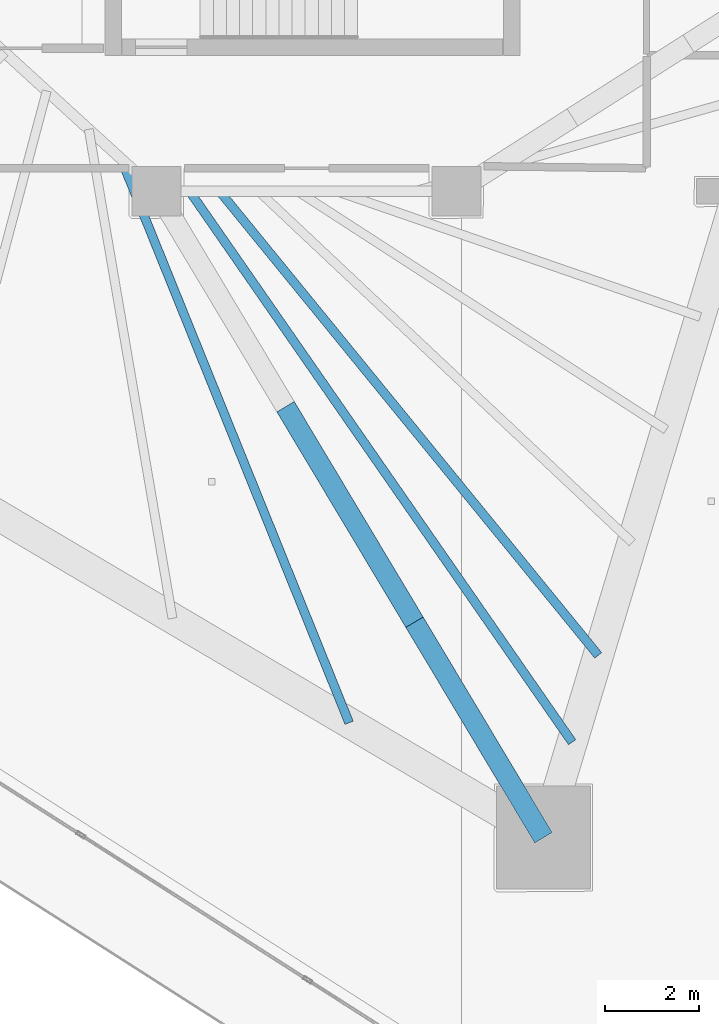
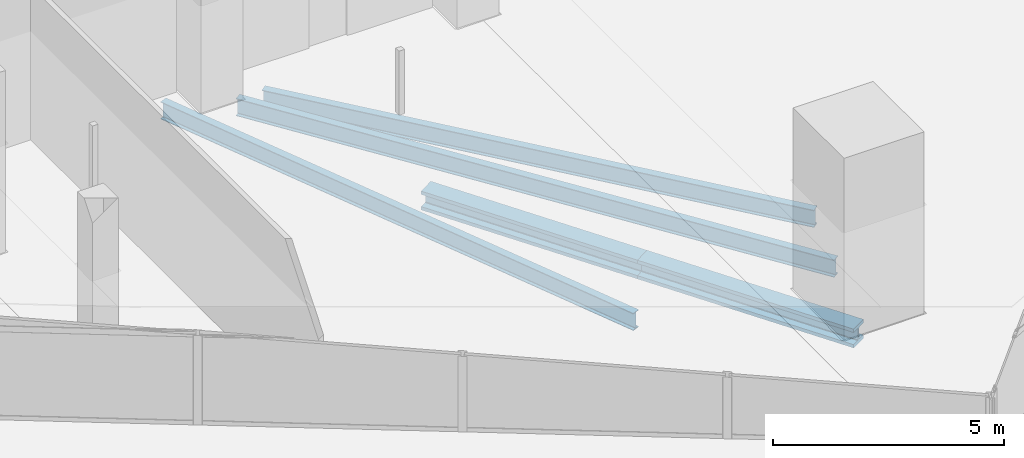
# One storey, part 6 of 42: 3 beams, 2 members.
"""IFC4 building model written with IfcOpenShell, lengths in metres."""

from ifc_helpers import new_model, si_unit, direction, frame, origin, origin_2d, place, context, subcontext, project, spatial, i_section, extrude, material, material_profile, profile_set, type_object, element, save


model = new_model("IFC4")

# Units and contexts
model_context = context("Model", 3, precision=1e-05, world=origin(), true_north=direction((0.0, 1.0)))
body_context = subcontext(model_context, "Body", "Model", "MODEL_VIEW")
ifc_project = project(units=[si_unit("LENGTHUNIT", "METRE"), si_unit("AREAUNIT", "SQUARE_METRE"), si_unit("VOLUMEUNIT", "CUBIC_METRE"), si_unit("PLANEANGLEUNIT", "RADIAN"), si_unit("MASSUNIT", "GRAM", prefix="KILO")], contexts=[model_context])

# Site, building, storey
site_placement = place(None, origin())
site = spatial("IfcSite", under=ifc_project, at=site_placement, CompositionType="ELEMENT")
building_placement = place(site_placement, origin())
building = spatial("IfcBuilding", under=site, at=building_placement, Name="Qorvath Tower", CompositionType="ELEMENT")
storey_placement = place(building_placement, frame((0.0, 0.0, 105.0)))
storey = spatial("IfcBuildingStorey", under=building, at=storey_placement, Name="L23", CompositionType="ELEMENT", Elevation=105.0)

# Beams
ifc_material_1 = material(Name="Steel ASTM A992 Grade 50", Category="steel")
ifc_material_profile_1 = material_profile(ifc_material_1, i_section(OverallWidth=0.18994140625, OverallDepth=0.45703125, WebThickness=0.009033203125, FlangeThickness=0.014404296875, FilletRadius=0.011962890625, at=origin_2d()), Name="W18x50")
ifc_profile_set_1 = profile_set([ifc_material_profile_1], Name="Steel ASTM A992 Grade 50")
beam_type = type_object("IfcBeamType", Name="BM-FJ2", PredefinedType="JOIST", material=ifc_profile_set_1)
beam_1_placement = place(storey_placement, frame((-22.256103515625, -11.449951171875, -0.528564453125), z_axis=(0.632187975212, -0.774815051478, 0.0), x_axis=(0.774815051478, 0.632187975212, 0.0)))
element("IfcBeam", 1, at=beam_1_placement, inside=storey, type_object=beam_type, Name="Composite Floor Joist SE6 L23", PredefinedType="JOIST", context=body_context, shape_type="SweptSolid", body=[
    extrude(i_section(OverallWidth=0.18994140625, OverallDepth=0.45703125, WebThickness=0.009033203125, FlangeThickness=0.014404296875, FilletRadius=0.011962890625, at=origin_2d()), origin(), (0.0, 0.0, 1.0), 12.784912109375),
])
beam_2_placement = place(storey_placement, frame((-22.89599609375, -11.449951171875, -0.528564453125), z_axis=(0.570366725248, -0.821390162304, 0.0), x_axis=(0.821390162304, 0.570366725248, 0.0)))
element("IfcBeam", 2, at=beam_2_placement, inside=storey, type_object=beam_type, Name="Composite Floor Joist SE7 L23", PredefinedType="JOIST", context=body_context, shape_type="SweptSolid", body=[
    extrude(i_section(OverallWidth=0.18994140625, OverallDepth=0.45703125, WebThickness=0.009033203125, FlangeThickness=0.014404296875, FilletRadius=0.011962890625, at=origin_2d()), origin(), (0.0, 0.0, 1.0), 14.3154296875),
])
beam_3_placement = place(storey_placement, frame((-24.35888671875, -10.757080078125, -0.528564453125), z_axis=(0.37487652097, -0.927074751045, 0.0), x_axis=(0.927074751045, 0.37487652097, 0.0)))
element("IfcBeam", 3, at=beam_3_placement, inside=storey, type_object=beam_type, Name="Composite Floor Joist SW7 L23", PredefinedType="JOIST", context=body_context, shape_type="SweptSolid", body=[
    extrude(i_section(OverallWidth=0.18994140625, OverallDepth=0.45703125, WebThickness=0.009033203125, FlangeThickness=0.014404296875, FilletRadius=0.011962890625, at=origin_2d()), origin(), (0.0, 0.0, 1.0), 12.9833984375),
])

# Members
ifc_material_2 = material(Name="Steel ASTM A913 Grade 65", Category="steel")
ifc_material_profile_2 = material_profile(ifc_material_2, i_section(OverallWidth=0.431884765625, OverallDepth=0.498046875, WebThickness=0.0556640625, FlangeThickness=0.0888671875, FilletRadius=0.02490234375, at=origin_2d()), Name="W14x500")
ifc_profile_set_2 = profile_set([ifc_material_profile_2], Name="Steel ASTM A913 Grade 65")
member_type = type_object("IfcMemberType", Name="MEM-OT1", PredefinedType="CHORD", material=ifc_profile_set_2)
member_1_placement = place(storey_placement, frame((-20.84814453125, -16.048583984375, -0.85009765625), z_axis=(0.513483832352, -0.8580992681, 0.0), x_axis=(0.8580992681, 0.513483832352, 0.0)))
element("IfcMember", 4, at=member_1_placement, inside=storey, type_object=member_type, Name="Outrigger and Belt Truss Top Chord OB1-4.2", PredefinedType="CHORD", context=body_context, shape_type="SweptSolid", body=[
    extrude(i_section(OverallWidth=0.431884765625, OverallDepth=0.498046875, WebThickness=0.0556640625, FlangeThickness=0.0888671875, FilletRadius=0.02490234375, at=origin_2d()), origin(), (0.0, 0.0, 1.0), 5.359375),
])
member_2_placement = place(storey_placement, frame((-18.09619140625, -20.6474609375, -0.85009765625), z_axis=(0.513503904971, -0.85808725639, 0.0), x_axis=(0.85808725639, 0.513503904971, 0.0)))
element("IfcMember", 5, at=member_2_placement, inside=storey, type_object=member_type, Name="Outrigger and Belt Truss Top Chord OB1-4.3", PredefinedType="CHORD", context=body_context, shape_type="SweptSolid", body=[
    extrude(i_section(OverallWidth=0.431884765625, OverallDepth=0.498046875, WebThickness=0.0556640625, FlangeThickness=0.0888671875, FilletRadius=0.02490234375, at=origin_2d()), origin(), (0.0, 0.0, 1.0), 5.359130859375),
])

save(model, "model.ifc")
